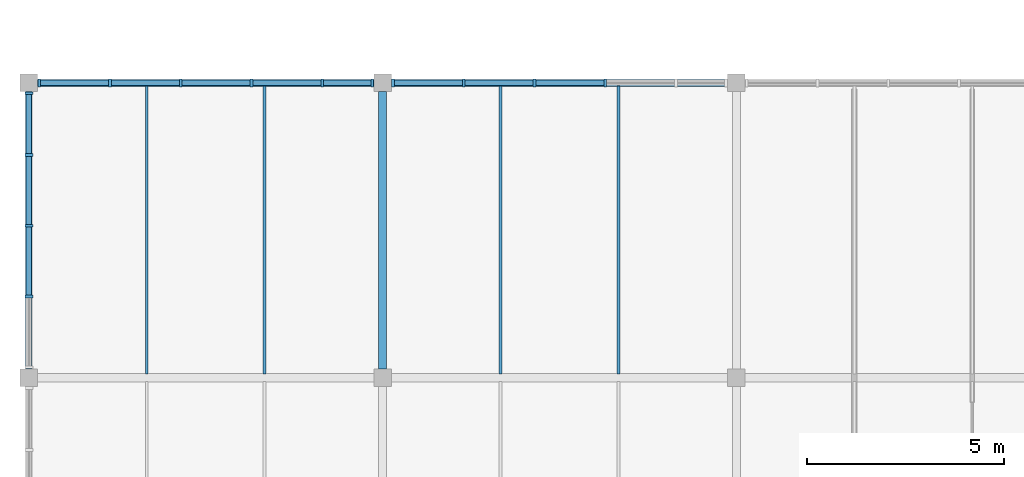
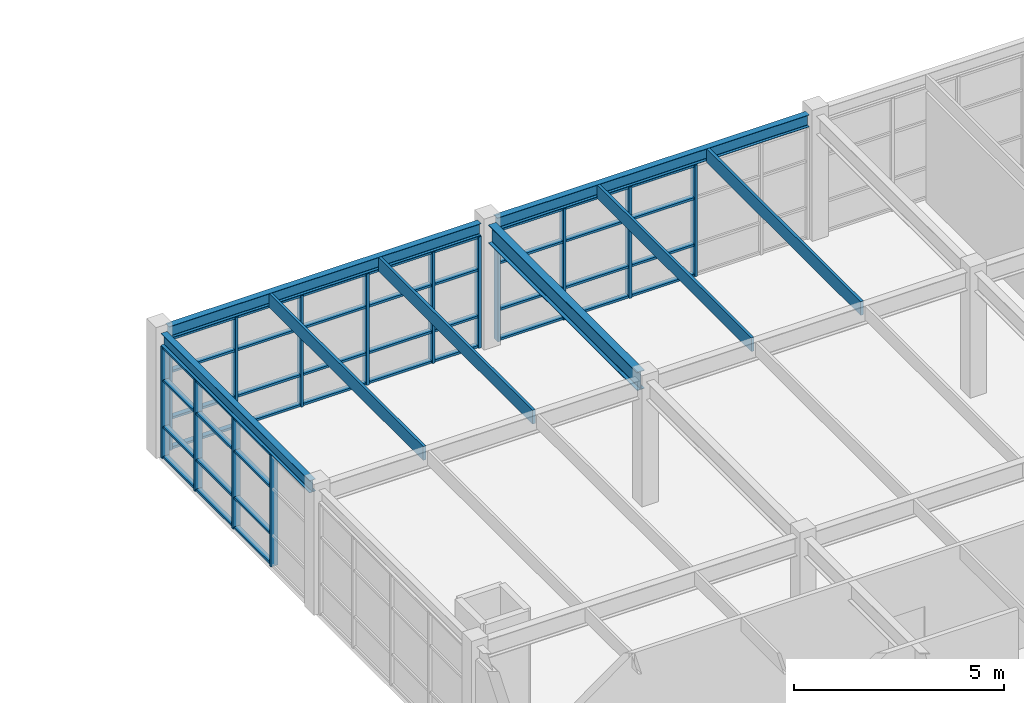
# One storey, part 11 of 81: 58 members, 8 beams, 3 elements without a shape of their own.
"""IFC4 building model written with IfcOpenShell, lengths in metres."""

import ifcopenshell
import ifcopenshell.guid

model = None  # the IFC model being written
_history = None  # IfcOwnerHistory: only IFC2X3 demands one
_inside = {}  # id of a spatial element -> (the spatial element, [elements in it])
_under = {}  # id of a project, library or spatial element -> (it, [spatial elements below it])
_declared = {}  # id of a project -> (the project, [libraries it declares])
_typed = {}  # id of a type object -> (the type object, [elements of that type])
_made_of = {}  # id of a material, layer set ... -> (it, [elements and type objects made of it])


def new_model(schema):
    """Start an empty IFC model of exactly this schema.

    Asked for "IFC4X3", IfcOpenShell would pick the latest addendum, in which some entities
    have other attributes; the version numbers below select the first issue.
    IFC2X3 requires an IfcOwnerHistory on every rooted entity: one is made here for all.
    """
    global model, _history
    if schema == "IFC4X3":
        model = ifcopenshell.file(schema_version=(4, 3, 0, 0))
    else:
        model = ifcopenshell.file(schema=schema)
    _inside.clear()
    _under.clear()
    _declared.clear()
    _typed.clear()
    _made_of.clear()
    _history = None
    if model.schema == "IFC2X3":
        org = make("IfcOrganization", Name="unknown")
        user = make(
            "IfcPersonAndOrganization",
            ThePerson=make("IfcPerson", FamilyName="unknown"),
            TheOrganization=org,
        )
        app = make(
            "IfcApplication",
            ApplicationDeveloper=org,
            Version="unknown",
            ApplicationFullName="unknown",
            ApplicationIdentifier="unknown",
        )
        _history = make(
            "IfcOwnerHistory",
            OwningUser=user,
            OwningApplication=app,
            ChangeAction="ADDED",
            CreationDate=0,
        )
    return model


def make(cls, **values):
    """One entity of the class cls with the attributes given. An attribute that is None is left unset."""
    return model.create_entity(
        cls, **{name: value for name, value in values.items() if value is not None}
    )


def rooted(cls, **values):
    """An entity with a GlobalId (a new one), such as an element, a storey or a relation."""
    return make(cls, GlobalId=ifcopenshell.guid.new(), OwnerHistory=_history, **values)


def si_unit(unit_type, name, prefix=None):
    """IfcSIUnit, for example si_unit("LENGTHUNIT", "METRE", prefix="MILLI")."""
    return make("IfcSIUnit", UnitType=unit_type, Prefix=prefix, Name=name)


def assignment(units):
    """IfcUnitAssignment: the units of a project."""
    return None if units is None else make("IfcUnitAssignment", Units=units)


def point(xyz):
    """IfcCartesianPoint."""
    return None if xyz is None else make("IfcCartesianPoint", Coordinates=xyz)


def direction(xyz):
    """IfcDirection."""
    return None if xyz is None else make("IfcDirection", DirectionRatios=xyz)


def frame(location, z_axis=None, x_axis=None):
    """IfcAxis2Placement3D, a coordinate frame: its origin and axes. An axis left out is left unset."""
    return make(
        "IfcAxis2Placement3D",
        Location=point(location),
        Axis=direction(z_axis),
        RefDirection=direction(x_axis),
    )


def frame_2d(location, x_axis=None):
    """IfcAxis2Placement2D, a coordinate frame in the plane: its origin and x axis."""
    return make(
        "IfcAxis2Placement2D", Location=point(location), RefDirection=direction(x_axis)
    )


def origin():
    """The frame at (0, 0, 0) with its axes left unset."""
    return frame((0.0, 0.0, 0.0))


def origin_2d():
    """The frame at (0, 0) in the plane with its x axis left unset."""
    return frame_2d((0.0, 0.0))


def place(relative_to, where):
    """IfcLocalPlacement: puts the frame where relative to a parent placement (None: the world)."""
    return make(
        "IfcLocalPlacement", PlacementRelTo=relative_to, RelativePlacement=where
    )


def context(
    kind, dimensions, precision=None, world=None, true_north=None, identifier=None
):
    """IfcGeometricRepresentationContext, for example the 3D "Model" context."""
    return make(
        "IfcGeometricRepresentationContext",
        ContextIdentifier=identifier,
        ContextType=kind,
        CoordinateSpaceDimension=dimensions,
        Precision=precision,
        WorldCoordinateSystem=world,
        TrueNorth=true_north,
    )


def subcontext(parent, identifier, kind, view, scale=None):
    """IfcGeometricRepresentationSubContext, for example "Body" below "Model"."""
    return make(
        "IfcGeometricRepresentationSubContext",
        ContextIdentifier=identifier,
        ContextType=kind,
        ParentContext=parent,
        TargetScale=scale,
        TargetView=view,
    )


def project(units=None, contexts=None):
    """IfcProject with its units and contexts."""
    return rooted(
        "IfcProject",
        Name="project",
        RepresentationContexts=contexts,
        UnitsInContext=assignment(units),
    )


def spatial(cls, under=None, at=None, **own):
    """A site, building, storey or space (cls), placed at a placement, below another one or the project."""
    s = rooted(cls, ObjectPlacement=at, **own)
    if under is not None:
        _under.setdefault(under.id(), (under, []))[1].append(s)
    return s


def profile(cls, at=None, kind="AREA", **sizes):
    """A parametric profile (cls). Its sizes go by their IFC names, for example OverallWidth=200.0."""
    return make(cls, ProfileType=kind, Position=at, **sizes)


def rectangle(**sizes):
    """IfcRectangleProfileDef."""
    return profile("IfcRectangleProfileDef", **sizes)


def i_section(**sizes):
    """IfcIShapeProfileDef."""
    return profile("IfcIShapeProfileDef", **sizes)


def extrude(swept, where, along, depth):
    """IfcExtrudedAreaSolid: the profile swept, set in the frame where, extruded along a direction by depth."""
    return make(
        "IfcExtrudedAreaSolid",
        SweptArea=swept,
        Position=where,
        ExtrudedDirection=direction(along),
        Depth=depth,
    )


def shape(context_of_items, identifier, shape_type, items):
    """IfcShapeRepresentation: the items that make up one representation, for example the "Body"."""
    return make(
        "IfcShapeRepresentation",
        ContextOfItems=context_of_items,
        RepresentationIdentifier=identifier,
        RepresentationType=shape_type,
        Items=items,
    )


def material(Name=None, Category=None):
    """IfcMaterial."""
    return make("IfcMaterial", Name=Name, Category=Category)


def layer(
    of_material, thickness, ventilated=None, Name=None, Category=None, Priority=None
):
    """IfcMaterialLayer: one layer of a wall or slab, of a material (None: an air gap)."""
    return make(
        "IfcMaterialLayer",
        Material=of_material,
        LayerThickness=thickness,
        IsVentilated=ventilated,
        Name=Name,
        Category=Category,
        Priority=Priority,
    )


def layer_set(layers, Name=None):
    """IfcMaterialLayerSet."""
    return make("IfcMaterialLayerSet", MaterialLayers=layers, LayerSetName=Name)


def material_profile(
    of_material, cross_section, Name=None, Category=None, Priority=None
):
    """IfcMaterialProfile: a cross section and its material."""
    return make(
        "IfcMaterialProfile",
        Name=Name,
        Material=of_material,
        Profile=cross_section,
        Priority=Priority,
        Category=Category,
    )


def profile_set(profiles, Name=None, composite=None):
    """IfcMaterialProfileSet."""
    return make(
        "IfcMaterialProfileSet",
        Name=Name,
        MaterialProfiles=profiles,
        CompositeProfile=composite,
    )


def made_of(thing, what):
    """Note that an element or type object is made of a material, layer set ...; save() writes the relation."""
    if what is not None:
        _made_of.setdefault(what.id(), (what, []))[1].append(thing)
    return thing


def type_object(cls, material=None, **own):
    """A type object (cls), such as IfcWallType, which elements share."""
    return made_of(rooted(cls, **own), material)


def element(
    cls,
    number,
    at=None,
    inside=None,
    cuts=None,
    type_object=None,
    material=None,
    context=None,
    identifier="Body",
    shape_type=None,
    held_by="IfcProductDefinitionShape",
    body=None,
    shapes=None,
    **own,
):
    """One element of the class cls, such as IfcWall. Its Tag is "e" and its number.

    at: its placement. inside: the storey or other place that contains it. cuts: it is an
    opening in that element (IfcRelVoidsElement). A single representation is given by context,
    identifier, shape_type and body (its items); several are given by shapes. held_by: the class
    of the entity that holds the representations. save() writes the other relations.
    """
    e = rooted(cls, Tag="e%d" % number, ObjectPlacement=at, **own)
    if body is not None:
        shapes = [shape(context, identifier, shape_type, body)]
    if shapes is not None:
        e.Representation = make(held_by, Representations=shapes)
    if inside is not None:
        _inside.setdefault(inside.id(), (inside, []))[1].append(e)
    if cuts is not None:
        rooted(
            "IfcRelVoidsElement", RelatingBuildingElement=cuts, RelatedOpeningElement=e
        )
    if type_object is not None:
        _typed.setdefault(type_object.id(), (type_object, []))[1].append(e)
    return made_of(e, material)


def aggregate(whole, parts):
    """IfcRelAggregates: a whole, such as a stair, and the parts it consists of."""
    return rooted("IfcRelAggregates", RelatingObject=whole, RelatedObjects=parts)


def save(model, path):
    """Write the relations noted so far, then the file.

    IfcRelAggregates (storeys below a building ...), IfcRelContainedInSpatialStructure (elements
    in a storey), IfcRelDefinesByType, IfcRelAssociatesMaterial and IfcRelDeclares: one each for
    every whole, place, type object, material and project.
    """
    for whole, parts in _under.values():
        aggregate(whole, parts)
    for where, things in _inside.values():
        rooted(
            "IfcRelContainedInSpatialStructure",
            RelatedElements=things,
            RelatingStructure=where,
        )
    for kind, things in _typed.values():
        rooted("IfcRelDefinesByType", RelatedObjects=things, RelatingType=kind)
    for what, things in _made_of.values():
        rooted("IfcRelAssociatesMaterial", RelatedObjects=things, RelatingMaterial=what)
    for by, libraries in _declared.values():
        rooted("IfcRelDeclares", RelatingContext=by, RelatedDefinitions=libraries)
    model.write(path)


model = new_model("IFC4")

# Units and contexts
model_context = context("Model", 3, precision=1e-05, world=origin(), true_north=direction((0.0, 1.0)))
body_context = subcontext(model_context, "Body", "Model", "MODEL_VIEW")
ifc_project = project(units=[si_unit("LENGTHUNIT", "METRE"), si_unit("AREAUNIT", "SQUARE_METRE"), si_unit("VOLUMEUNIT", "CUBIC_METRE"), si_unit("PLANEANGLEUNIT", "RADIAN"), si_unit("MASSUNIT", "GRAM", prefix="KILO")], contexts=[model_context])

# Site, building, storey
site_placement = place(None, origin())
site = spatial("IfcSite", under=ifc_project, at=site_placement, CompositionType="ELEMENT")
building_placement = place(site_placement, origin())
building = spatial("IfcBuilding", under=site, at=building_placement, Name="Marnridge Secondary College", CompositionType="ELEMENT")
storey_placement = place(building_placement, frame((0.0, 0.0, 8.5)))
storey = spatial("IfcBuildingStorey", under=building, at=storey_placement, Name="L02", CompositionType="ELEMENT", Elevation=8.5)

# Beams
ifc_material_1 = material(Name="Engineered timber LVL E13.2", Category="wood")
ifc_material_profile_1 = material_profile(ifc_material_1, rectangle(XDim=0.074951171875, YDim=0.39990234375, at=origin_2d()), Name="LVL 75x400")
ifc_profile_set_1 = profile_set([ifc_material_profile_1], Name="Engineered timber LVL E13.2")
beam_type_1 = type_object("IfcBeamType", Name="BM-LVL400-INT", PredefinedType="JOIST", material=ifc_profile_set_1)
for number, where, z_axis, x_axis, name in (
    (1, (3.0, 30.0986328125, 3.389892578125), (0.0, 1.0, 0.0), (-1.0, 0.0, 0.0), "Beam BJ-L02-1034"),
    (2, (6.0, 30.0986328125, 3.389892578125), (0.0, 1.0, 0.0), (-1.0, 0.0, 0.0), "Beam BJ-L02-1035"),
    (3, (12.0, 30.0986328125, 3.389892578125), (0.0, 1.0, 0.0), (-1.0, 0.0, 0.0), "Beam BJ-L02-1036"),
    (4, (15.0, 30.0986328125, 3.389892578125), (0.0, 1.0, 0.0), (-1.0, 0.0, 0.0), "Beam BJ-L02-1037"),
):
    element("IfcBeam", number, at=place(storey_placement, frame(where, z_axis=z_axis, x_axis=x_axis)), inside=storey, type_object=beam_type_1, Name=name, PredefinedType="JOIST", context=body_context, shape_type="SweptSolid", body=[
        extrude(rectangle(XDim=0.074951171875, YDim=0.39990234375, at=origin_2d()), origin(), (0.0, 0.0, 1.0), 7.32177734375),
    ])
ifc_material_2 = material(Name="Structural steel Grade 350 (AS/NZS 3679.1/.2, fy = 340-360 MPa)", Category="steel")
ifc_material_profile_2 = material_profile(ifc_material_2, i_section(OverallWidth=0.1708984375, OverallDepth=0.35205078125, WebThickness=0.0068359375, FlangeThickness=0.009765625, FilletRadius=0.011474609375, at=origin_2d()), Name="360UB44.7")
ifc_profile_set_2 = profile_set([ifc_material_profile_2], Name="Structural steel Grade 350 (AS/NZS 3679.1/.2, fy = 340-360 MPa)")
beam_type_2 = type_object("IfcBeamType", Name="BM-UB360-EXT", PredefinedType="SPANDREL", material=ifc_profile_set_2)
beam_1_placement = place(storey_placement, frame((0.218994140625, 37.5, 3.4140625), z_axis=(1.0, 0.0, 0.0), x_axis=(0.0, 1.0, 0.0)))
element("IfcBeam", 5, at=beam_1_placement, inside=storey, type_object=beam_type_2, Name="Beam BS-L02-0990", PredefinedType="SPANDREL", context=body_context, shape_type="SweptSolid", body=[
    extrude(i_section(OverallWidth=0.1708984375, OverallDepth=0.35205078125, WebThickness=0.0068359375, FlangeThickness=0.009765625, FilletRadius=0.011474609375, at=origin_2d()), origin(), (0.0, 0.0, 1.0), 8.56201171875),
])
beam_2_placement = place(storey_placement, frame((0.0, 30.218994140625, 3.4140625), z_axis=(0.0, 1.0, 0.0), x_axis=(-1.0, 0.0, 0.0)))
element("IfcBeam", 6, at=beam_2_placement, inside=storey, type_object=beam_type_2, Name="Beam BS-L02-0991", PredefinedType="SPANDREL", context=body_context, shape_type="SweptSolid", body=[
    extrude(i_section(OverallWidth=0.1708984375, OverallDepth=0.35205078125, WebThickness=0.0068359375, FlangeThickness=0.009765625, FilletRadius=0.011474609375, at=origin_2d()), origin(), (0.0, 0.0, 1.0), 7.06201171875),
])
beam_3_placement = place(storey_placement, frame((9.218994140625, 37.5, 3.4140625), z_axis=(1.0, 0.0, 0.0), x_axis=(0.0, 1.0, 0.0)))
element("IfcBeam", 7, at=beam_3_placement, inside=storey, type_object=beam_type_2, Name="Beam BS-L02-0993", PredefinedType="SPANDREL", context=body_context, shape_type="SweptSolid", body=[
    extrude(i_section(OverallWidth=0.1708984375, OverallDepth=0.35205078125, WebThickness=0.0068359375, FlangeThickness=0.009765625, FilletRadius=0.011474609375, at=origin_2d()), origin(), (0.0, 0.0, 1.0), 8.56201171875),
])
ifc_material_3 = material(Name="Structural steel Grade 350 (AS/NZS 3679.1/.2, fy = 340-360 MPa)", Category="steel")
ifc_material_profile_3 = material_profile(ifc_material_3, i_section(OverallWidth=0.209228515625, OverallDepth=0.532958984375, WebThickness=0.01025390625, FlangeThickness=0.015625, FilletRadius=0.013916015625, at=origin_2d()), Name="530UB92.4")
ifc_profile_set_3 = profile_set([ifc_material_profile_3], Name="Structural steel Grade 350 (AS/NZS 3679.1/.2, fy = 340-360 MPa)")
beam_type_3 = type_object("IfcBeamType", Name="BM-UB530A-INT", PredefinedType="BEAM", material=ifc_profile_set_3)
beam_4_placement = place(storey_placement, frame((9.0, 30.218994140625, 3.323486328125), z_axis=(0.0, 1.0, 0.0), x_axis=(-1.0, 0.0, 0.0)))
element("IfcBeam", 8, at=beam_4_placement, inside=storey, type_object=beam_type_3, Name="Beam B-L02-0992", PredefinedType="BEAM", context=body_context, shape_type="SweptSolid", body=[
    extrude(i_section(OverallWidth=0.209228515625, OverallDepth=0.532958984375, WebThickness=0.01025390625, FlangeThickness=0.015625, FilletRadius=0.013916015625, at=origin_2d()), origin(), (0.0, 0.0, 1.0), 7.06201171875),
])

# Curtain wall, members
ifc_material_4 = material(Name="Bronze-anodised aluminium and solar-control glazing", Category="aluminium")
ifc_layer = layer(ifc_material_4, 0.199951171875)
ifc_layer_set = layer_set([ifc_layer], Name="CW-MOD-1800")
curtain_wall_type = type_object("IfcCurtainWallType", Name="CW-MOD-1800", PredefinedType="NOTDEFINED", material=ifc_layer_set)
curtain_wall_1_placement = place(storey_placement, origin())
curtain_wall_1 = element("IfcCurtainWall", 9, at=curtain_wall_1_placement, inside=storey, type_object=curtain_wall_type, Name="Unitised curtain wall CW-L02-100", PredefinedType="NOTDEFINED")
ifc_material_5 = material(Name="Bronze-anodised aluminium 6063-T6", Category="aluminium")
ifc_material_profile_4 = material_profile(ifc_material_5, rectangle(XDim=0.070068359375, YDim=0.199951171875, at=origin_2d()), Name="ALU 70x200")
ifc_profile_set_4 = profile_set([ifc_material_profile_4], Name="Bronze-anodised aluminium 6063-T6")
member_type_1 = type_object("IfcMemberType", Name="CWM-ALU200", PredefinedType="MULLION", material=ifc_profile_set_4)
member_1_placement = place(storey_placement, frame((0.263916015625, 37.5, 0.0), z_axis=(0.0, 0.0, 1.0), x_axis=(1.0, 0.0, 0.0)))
member_1 = element("IfcMember", 10, at=member_1_placement, type_object=member_type_1, Name="CW-L02-100 mullion 1", PredefinedType="MULLION", context=body_context, shape_type="SweptSolid", body=[
    extrude(rectangle(XDim=0.070068359375, YDim=0.199951171875, at=origin_2d()), origin(), (0.0, 0.0, 1.0), 3.22998046875),
])
member_2_placement = place(storey_placement, frame((2.06396484375, 37.5, 0.0), z_axis=(0.0, 0.0, 1.0), x_axis=(1.0, 0.0, 0.0)))
member_2 = element("IfcMember", 11, at=member_2_placement, type_object=member_type_1, Name="CW-L02-100 mullion 2", PredefinedType="MULLION", context=body_context, shape_type="SweptSolid", body=[
    extrude(rectangle(XDim=0.070068359375, YDim=0.199951171875, at=origin_2d()), origin(), (0.0, 0.0, 1.0), 3.22998046875),
])
member_3_placement = place(storey_placement, frame((3.864013671875, 37.5, 0.0), z_axis=(0.0, 0.0, 1.0), x_axis=(1.0, 0.0, 0.0)))
member_3 = element("IfcMember", 12, at=member_3_placement, type_object=member_type_1, Name="CW-L02-100 mullion 3", PredefinedType="MULLION", context=body_context, shape_type="SweptSolid", body=[
    extrude(rectangle(XDim=0.070068359375, YDim=0.199951171875, at=origin_2d()), origin(), (0.0, 0.0, 1.0), 3.22998046875),
])
member_4_placement = place(storey_placement, frame((5.6640625, 37.5, 0.0), z_axis=(0.0, 0.0, 1.0), x_axis=(1.0, 0.0, 0.0)))
member_4 = element("IfcMember", 13, at=member_4_placement, type_object=member_type_1, Name="CW-L02-100 mullion 4", PredefinedType="MULLION", context=body_context, shape_type="SweptSolid", body=[
    extrude(rectangle(XDim=0.070068359375, YDim=0.199951171875, at=origin_2d()), origin(), (0.0, 0.0, 1.0), 3.22998046875),
])
member_5_placement = place(storey_placement, frame((7.464111328125, 37.5, 0.0), z_axis=(0.0, 0.0, 1.0), x_axis=(1.0, 0.0, 0.0)))
member_5 = element("IfcMember", 14, at=member_5_placement, type_object=member_type_1, Name="CW-L02-100 mullion 5", PredefinedType="MULLION", context=body_context, shape_type="SweptSolid", body=[
    extrude(rectangle(XDim=0.070068359375, YDim=0.199951171875, at=origin_2d()), origin(), (0.0, 0.0, 1.0), 3.22998046875),
])
member_6_placement = place(storey_placement, frame((8.736083984375, 37.5, 0.0), z_axis=(0.0, 0.0, 1.0), x_axis=(1.0, 0.0, 0.0)))
member_6 = element("IfcMember", 15, at=member_6_placement, type_object=member_type_1, Name="CW-L02-100 mullion 6", PredefinedType="MULLION", context=body_context, shape_type="SweptSolid", body=[
    extrude(rectangle(XDim=0.070068359375, YDim=0.199951171875, at=origin_2d()), origin(), (0.0, 0.0, 1.0), 3.22998046875),
])

curtain_wall_2_placement = place(storey_placement, origin())
curtain_wall_2 = element("IfcCurtainWall", 16, at=curtain_wall_2_placement, inside=storey, type_object=curtain_wall_type, Name="Unitised curtain wall CW-L02-101", PredefinedType="NOTDEFINED")
member_7_placement = place(storey_placement, frame((9.263916015625, 37.5, 0.0), z_axis=(0.0, 0.0, 1.0), x_axis=(1.0, 0.0, 0.0)))
member_7 = element("IfcMember", 17, at=member_7_placement, type_object=member_type_1, Name="CW-L02-101 mullion 1", PredefinedType="MULLION", context=body_context, shape_type="SweptSolid", body=[
    extrude(rectangle(XDim=0.070068359375, YDim=0.199951171875, at=origin_2d()), origin(), (0.0, 0.0, 1.0), 3.22998046875),
])
member_8_placement = place(storey_placement, frame((11.06396484375, 37.5, 0.0), z_axis=(0.0, 0.0, 1.0), x_axis=(1.0, 0.0, 0.0)))
member_8 = element("IfcMember", 18, at=member_8_placement, type_object=member_type_1, Name="CW-L02-101 mullion 2", PredefinedType="MULLION", context=body_context, shape_type="SweptSolid", body=[
    extrude(rectangle(XDim=0.070068359375, YDim=0.199951171875, at=origin_2d()), origin(), (0.0, 0.0, 1.0), 3.22998046875),
])
member_9_placement = place(storey_placement, frame((12.864013671875, 37.5, 0.0), z_axis=(0.0, 0.0, 1.0), x_axis=(1.0, 0.0, 0.0)))
member_9 = element("IfcMember", 19, at=member_9_placement, type_object=member_type_1, Name="CW-L02-101 mullion 3", PredefinedType="MULLION", context=body_context, shape_type="SweptSolid", body=[
    extrude(rectangle(XDim=0.070068359375, YDim=0.199951171875, at=origin_2d()), origin(), (0.0, 0.0, 1.0), 3.22998046875),
])
member_10_placement = place(storey_placement, frame((14.6640625, 37.5, 0.0), z_axis=(0.0, 0.0, 1.0), x_axis=(1.0, 0.0, 0.0)))
member_10 = element("IfcMember", 20, at=member_10_placement, type_object=member_type_1, Name="CW-L02-101 mullion 4", PredefinedType="MULLION", context=body_context, shape_type="SweptSolid", body=[
    extrude(rectangle(XDim=0.070068359375, YDim=0.199951171875, at=origin_2d()), origin(), (0.0, 0.0, 1.0), 3.22998046875),
])

curtain_wall_3_placement = place(storey_placement, origin())
curtain_wall_3 = element("IfcCurtainWall", 21, at=curtain_wall_3_placement, inside=storey, type_object=curtain_wall_type, Name="Unitised curtain wall CW-L02-113", PredefinedType="NOTDEFINED")
member_11_placement = place(storey_placement, frame((0.0, 32.06396484375, 0.0), z_axis=(0.0, 0.0, 1.0), x_axis=(0.0, 1.0, 0.0)))
member_11 = element("IfcMember", 22, at=member_11_placement, type_object=member_type_1, Name="CW-L02-113 mullion 2", PredefinedType="MULLION", context=body_context, shape_type="SweptSolid", body=[
    extrude(rectangle(XDim=0.070068359375, YDim=0.199951171875, at=origin_2d()), origin(), (0.0, 0.0, 1.0), 3.22998046875),
])
member_12_placement = place(storey_placement, frame((0.0, 33.864013671875, 0.0), z_axis=(0.0, 0.0, 1.0), x_axis=(0.0, 1.0, 0.0)))
member_12 = element("IfcMember", 23, at=member_12_placement, type_object=member_type_1, Name="CW-L02-113 mullion 3", PredefinedType="MULLION", context=body_context, shape_type="SweptSolid", body=[
    extrude(rectangle(XDim=0.070068359375, YDim=0.199951171875, at=origin_2d()), origin(), (0.0, 0.0, 1.0), 3.22998046875),
])
member_13_placement = place(storey_placement, frame((0.0, 35.6640625, 0.0), z_axis=(0.0, 0.0, 1.0), x_axis=(0.0, 1.0, 0.0)))
member_13 = element("IfcMember", 24, at=member_13_placement, type_object=member_type_1, Name="CW-L02-113 mullion 4", PredefinedType="MULLION", context=body_context, shape_type="SweptSolid", body=[
    extrude(rectangle(XDim=0.070068359375, YDim=0.199951171875, at=origin_2d()), origin(), (0.0, 0.0, 1.0), 3.22998046875),
])
member_14_placement = place(storey_placement, frame((0.0, 37.236083984375, 0.0), z_axis=(0.0, 0.0, 1.0), x_axis=(0.0, 1.0, 0.0)))
member_14 = element("IfcMember", 25, at=member_14_placement, type_object=member_type_1, Name="CW-L02-113 mullion 5", PredefinedType="MULLION", context=body_context, shape_type="SweptSolid", body=[
    extrude(rectangle(XDim=0.070068359375, YDim=0.199951171875, at=origin_2d()), origin(), (0.0, 0.0, 1.0), 3.22998046875),
])

# Member
ifc_material_6 = material(Name="Anodised aluminium 6063-T6", Category="aluminium")
ifc_material_profile_5 = material_profile(ifc_material_6, rectangle(XDim=0.06494140625, YDim=0.139892578125, at=origin_2d()), Name="ALU 65x140")
ifc_profile_set_5 = profile_set([ifc_material_profile_5], Name="Anodised aluminium 6063-T6")
member_type_2 = type_object("IfcMemberType", Name="CWT-ALU140", PredefinedType="USERDEFINED", material=ifc_profile_set_5)
member_15_placement = place(storey_placement, frame((0.299072265625, 37.5, 0.032470703125), z_axis=(1.0, 0.0, 0.0), x_axis=(0.0, 0.0, 1.0)))
member_15 = element("IfcMember", 26, at=member_15_placement, type_object=member_type_2, Name="CW-L02-100 transom 1.1", ObjectType="TRANSOM", PredefinedType="USERDEFINED", context=body_context, shape_type="SweptSolid", body=[
    extrude(rectangle(XDim=0.06494140625, YDim=0.139892578125, at=origin_2d()), origin(), (0.0, 0.0, 1.0), 1.72998046875),
])

member_16_placement = place(storey_placement, frame((0.299072265625, 37.5, 0.89990234375), z_axis=(1.0, 0.0, 0.0), x_axis=(0.0, 0.0, 1.0)))
member_16 = element("IfcMember", 27, at=member_16_placement, type_object=member_type_2, Name="CW-L02-100 transom 1.2", ObjectType="TRANSOM", PredefinedType="USERDEFINED", context=body_context, shape_type="SweptSolid", body=[
    extrude(rectangle(XDim=0.06494140625, YDim=0.139892578125, at=origin_2d()), origin(), (0.0, 0.0, 1.0), 1.72998046875),
])

member_17_placement = place(storey_placement, frame((0.299072265625, 37.5, 2.25), z_axis=(1.0, 0.0, 0.0), x_axis=(0.0, 0.0, 1.0)))
member_17 = element("IfcMember", 28, at=member_17_placement, type_object=member_type_2, Name="CW-L02-100 transom 1.3", ObjectType="TRANSOM", PredefinedType="USERDEFINED", context=body_context, shape_type="SweptSolid", body=[
    extrude(rectangle(XDim=0.06494140625, YDim=0.139892578125, at=origin_2d()), origin(), (0.0, 0.0, 1.0), 1.72998046875),
])

member_18_placement = place(storey_placement, frame((0.299072265625, 37.5, 3.197509765625), z_axis=(1.0, 0.0, 0.0), x_axis=(0.0, 0.0, 1.0)))
member_18 = element("IfcMember", 29, at=member_18_placement, type_object=member_type_2, Name="CW-L02-100 transom 1.4", ObjectType="TRANSOM", PredefinedType="USERDEFINED", context=body_context, shape_type="SweptSolid", body=[
    extrude(rectangle(XDim=0.06494140625, YDim=0.139892578125, at=origin_2d()), origin(), (0.0, 0.0, 1.0), 1.72998046875),
])

member_19_placement = place(storey_placement, frame((2.09912109375, 37.5, 0.032470703125), z_axis=(1.0, 0.0, 0.0), x_axis=(0.0, 0.0, 1.0)))
member_19 = element("IfcMember", 30, at=member_19_placement, type_object=member_type_2, Name="CW-L02-100 transom 2.1", ObjectType="TRANSOM", PredefinedType="USERDEFINED", context=body_context, shape_type="SweptSolid", body=[
    extrude(rectangle(XDim=0.06494140625, YDim=0.139892578125, at=origin_2d()), origin(), (0.0, 0.0, 1.0), 1.72998046875),
])

member_20_placement = place(storey_placement, frame((2.09912109375, 37.5, 0.89990234375), z_axis=(1.0, 0.0, 0.0), x_axis=(0.0, 0.0, 1.0)))
member_20 = element("IfcMember", 31, at=member_20_placement, type_object=member_type_2, Name="CW-L02-100 transom 2.2", ObjectType="TRANSOM", PredefinedType="USERDEFINED", context=body_context, shape_type="SweptSolid", body=[
    extrude(rectangle(XDim=0.06494140625, YDim=0.139892578125, at=origin_2d()), origin(), (0.0, 0.0, 1.0), 1.72998046875),
])

member_21_placement = place(storey_placement, frame((2.09912109375, 37.5, 2.25), z_axis=(1.0, 0.0, 0.0), x_axis=(0.0, 0.0, 1.0)))
member_21 = element("IfcMember", 32, at=member_21_placement, type_object=member_type_2, Name="CW-L02-100 transom 2.3", ObjectType="TRANSOM", PredefinedType="USERDEFINED", context=body_context, shape_type="SweptSolid", body=[
    extrude(rectangle(XDim=0.06494140625, YDim=0.139892578125, at=origin_2d()), origin(), (0.0, 0.0, 1.0), 1.72998046875),
])

member_22_placement = place(storey_placement, frame((2.09912109375, 37.5, 3.197509765625), z_axis=(1.0, 0.0, 0.0), x_axis=(0.0, 0.0, 1.0)))
member_22 = element("IfcMember", 33, at=member_22_placement, type_object=member_type_2, Name="CW-L02-100 transom 2.4", ObjectType="TRANSOM", PredefinedType="USERDEFINED", context=body_context, shape_type="SweptSolid", body=[
    extrude(rectangle(XDim=0.06494140625, YDim=0.139892578125, at=origin_2d()), origin(), (0.0, 0.0, 1.0), 1.72998046875),
])

member_23_placement = place(storey_placement, frame((3.89892578125, 37.5, 0.032470703125), z_axis=(1.0, 0.0, 0.0), x_axis=(0.0, 0.0, 1.0)))
member_23 = element("IfcMember", 34, at=member_23_placement, type_object=member_type_2, Name="CW-L02-100 transom 3.1", ObjectType="TRANSOM", PredefinedType="USERDEFINED", context=body_context, shape_type="SweptSolid", body=[
    extrude(rectangle(XDim=0.06494140625, YDim=0.139892578125, at=origin_2d()), origin(), (0.0, 0.0, 1.0), 1.72998046875),
])

member_24_placement = place(storey_placement, frame((3.89892578125, 37.5, 0.89990234375), z_axis=(1.0, 0.0, 0.0), x_axis=(0.0, 0.0, 1.0)))
member_24 = element("IfcMember", 35, at=member_24_placement, type_object=member_type_2, Name="CW-L02-100 transom 3.2", ObjectType="TRANSOM", PredefinedType="USERDEFINED", context=body_context, shape_type="SweptSolid", body=[
    extrude(rectangle(XDim=0.06494140625, YDim=0.139892578125, at=origin_2d()), origin(), (0.0, 0.0, 1.0), 1.72998046875),
])

member_25_placement = place(storey_placement, frame((3.89892578125, 37.5, 2.25), z_axis=(1.0, 0.0, 0.0), x_axis=(0.0, 0.0, 1.0)))
member_25 = element("IfcMember", 36, at=member_25_placement, type_object=member_type_2, Name="CW-L02-100 transom 3.3", ObjectType="TRANSOM", PredefinedType="USERDEFINED", context=body_context, shape_type="SweptSolid", body=[
    extrude(rectangle(XDim=0.06494140625, YDim=0.139892578125, at=origin_2d()), origin(), (0.0, 0.0, 1.0), 1.72998046875),
])

member_26_placement = place(storey_placement, frame((3.89892578125, 37.5, 3.197509765625), z_axis=(1.0, 0.0, 0.0), x_axis=(0.0, 0.0, 1.0)))
member_26 = element("IfcMember", 37, at=member_26_placement, type_object=member_type_2, Name="CW-L02-100 transom 3.4", ObjectType="TRANSOM", PredefinedType="USERDEFINED", context=body_context, shape_type="SweptSolid", body=[
    extrude(rectangle(XDim=0.06494140625, YDim=0.139892578125, at=origin_2d()), origin(), (0.0, 0.0, 1.0), 1.72998046875),
])

member_27_placement = place(storey_placement, frame((5.698974609375, 37.5, 0.032470703125), z_axis=(1.0, 0.0, 0.0), x_axis=(0.0, 0.0, 1.0)))
member_27 = element("IfcMember", 38, at=member_27_placement, type_object=member_type_2, Name="CW-L02-100 transom 4.1", ObjectType="TRANSOM", PredefinedType="USERDEFINED", context=body_context, shape_type="SweptSolid", body=[
    extrude(rectangle(XDim=0.06494140625, YDim=0.139892578125, at=origin_2d()), origin(), (0.0, 0.0, 1.0), 1.72998046875),
])

member_28_placement = place(storey_placement, frame((5.698974609375, 37.5, 0.89990234375), z_axis=(1.0, 0.0, 0.0), x_axis=(0.0, 0.0, 1.0)))
member_28 = element("IfcMember", 39, at=member_28_placement, type_object=member_type_2, Name="CW-L02-100 transom 4.2", ObjectType="TRANSOM", PredefinedType="USERDEFINED", context=body_context, shape_type="SweptSolid", body=[
    extrude(rectangle(XDim=0.06494140625, YDim=0.139892578125, at=origin_2d()), origin(), (0.0, 0.0, 1.0), 1.72998046875),
])

member_29_placement = place(storey_placement, frame((5.698974609375, 37.5, 2.25), z_axis=(1.0, 0.0, 0.0), x_axis=(0.0, 0.0, 1.0)))
member_29 = element("IfcMember", 40, at=member_29_placement, type_object=member_type_2, Name="CW-L02-100 transom 4.3", ObjectType="TRANSOM", PredefinedType="USERDEFINED", context=body_context, shape_type="SweptSolid", body=[
    extrude(rectangle(XDim=0.06494140625, YDim=0.139892578125, at=origin_2d()), origin(), (0.0, 0.0, 1.0), 1.72998046875),
])

member_30_placement = place(storey_placement, frame((5.698974609375, 37.5, 3.197509765625), z_axis=(1.0, 0.0, 0.0), x_axis=(0.0, 0.0, 1.0)))
member_30 = element("IfcMember", 41, at=member_30_placement, type_object=member_type_2, Name="CW-L02-100 transom 4.4", ObjectType="TRANSOM", PredefinedType="USERDEFINED", context=body_context, shape_type="SweptSolid", body=[
    extrude(rectangle(XDim=0.06494140625, YDim=0.139892578125, at=origin_2d()), origin(), (0.0, 0.0, 1.0), 1.72998046875),
])

member_31_placement = place(storey_placement, frame((7.4990234375, 37.5, 0.032470703125), z_axis=(1.0, 0.0, 0.0), x_axis=(0.0, 0.0, 1.0)))
member_31 = element("IfcMember", 42, at=member_31_placement, type_object=member_type_2, Name="CW-L02-100 transom 5.1", ObjectType="TRANSOM", PredefinedType="USERDEFINED", context=body_context, shape_type="SweptSolid", body=[
    extrude(rectangle(XDim=0.06494140625, YDim=0.139892578125, at=origin_2d()), origin(), (0.0, 0.0, 1.0), 1.201904296875),
])

member_32_placement = place(storey_placement, frame((7.4990234375, 37.5, 0.89990234375), z_axis=(1.0, 0.0, 0.0), x_axis=(0.0, 0.0, 1.0)))
member_32 = element("IfcMember", 43, at=member_32_placement, type_object=member_type_2, Name="CW-L02-100 transom 5.2", ObjectType="TRANSOM", PredefinedType="USERDEFINED", context=body_context, shape_type="SweptSolid", body=[
    extrude(rectangle(XDim=0.06494140625, YDim=0.139892578125, at=origin_2d()), origin(), (0.0, 0.0, 1.0), 1.201904296875),
])

member_33_placement = place(storey_placement, frame((7.4990234375, 37.5, 2.25), z_axis=(1.0, 0.0, 0.0), x_axis=(0.0, 0.0, 1.0)))
member_33 = element("IfcMember", 44, at=member_33_placement, type_object=member_type_2, Name="CW-L02-100 transom 5.3", ObjectType="TRANSOM", PredefinedType="USERDEFINED", context=body_context, shape_type="SweptSolid", body=[
    extrude(rectangle(XDim=0.06494140625, YDim=0.139892578125, at=origin_2d()), origin(), (0.0, 0.0, 1.0), 1.201904296875),
])

member_34_placement = place(storey_placement, frame((7.4990234375, 37.5, 3.197509765625), z_axis=(1.0, 0.0, 0.0), x_axis=(0.0, 0.0, 1.0)))
member_34 = element("IfcMember", 45, at=member_34_placement, type_object=member_type_2, Name="CW-L02-100 transom 5.4", ObjectType="TRANSOM", PredefinedType="USERDEFINED", context=body_context, shape_type="SweptSolid", body=[
    extrude(rectangle(XDim=0.06494140625, YDim=0.139892578125, at=origin_2d()), origin(), (0.0, 0.0, 1.0), 1.201904296875),
])

aggregate(curtain_wall_1, [member_1, member_2, member_3, member_4, member_5, member_6, member_15, member_16, member_17, member_18, member_19, member_20, member_21, member_22, member_23, member_24, member_25, member_26, member_27, member_28, member_29, member_30, member_31, member_32, member_33, member_34])

member_35_placement = place(storey_placement, frame((9.299072265625, 37.5, 0.032470703125), z_axis=(1.0, 0.0, 0.0), x_axis=(0.0, 0.0, 1.0)))
member_35 = element("IfcMember", 46, at=member_35_placement, type_object=member_type_2, Name="CW-L02-101 transom 1.1", ObjectType="TRANSOM", PredefinedType="USERDEFINED", context=body_context, shape_type="SweptSolid", body=[
    extrude(rectangle(XDim=0.06494140625, YDim=0.139892578125, at=origin_2d()), origin(), (0.0, 0.0, 1.0), 1.72998046875),
])

member_36_placement = place(storey_placement, frame((9.299072265625, 37.5, 0.89990234375), z_axis=(1.0, 0.0, 0.0), x_axis=(0.0, 0.0, 1.0)))
member_36 = element("IfcMember", 47, at=member_36_placement, type_object=member_type_2, Name="CW-L02-101 transom 1.2", ObjectType="TRANSOM", PredefinedType="USERDEFINED", context=body_context, shape_type="SweptSolid", body=[
    extrude(rectangle(XDim=0.06494140625, YDim=0.139892578125, at=origin_2d()), origin(), (0.0, 0.0, 1.0), 1.72998046875),
])

member_37_placement = place(storey_placement, frame((9.299072265625, 37.5, 2.25), z_axis=(1.0, 0.0, 0.0), x_axis=(0.0, 0.0, 1.0)))
member_37 = element("IfcMember", 48, at=member_37_placement, type_object=member_type_2, Name="CW-L02-101 transom 1.3", ObjectType="TRANSOM", PredefinedType="USERDEFINED", context=body_context, shape_type="SweptSolid", body=[
    extrude(rectangle(XDim=0.06494140625, YDim=0.139892578125, at=origin_2d()), origin(), (0.0, 0.0, 1.0), 1.72998046875),
])

member_38_placement = place(storey_placement, frame((9.299072265625, 37.5, 3.197509765625), z_axis=(1.0, 0.0, 0.0), x_axis=(0.0, 0.0, 1.0)))
member_38 = element("IfcMember", 49, at=member_38_placement, type_object=member_type_2, Name="CW-L02-101 transom 1.4", ObjectType="TRANSOM", PredefinedType="USERDEFINED", context=body_context, shape_type="SweptSolid", body=[
    extrude(rectangle(XDim=0.06494140625, YDim=0.139892578125, at=origin_2d()), origin(), (0.0, 0.0, 1.0), 1.72998046875),
])

member_39_placement = place(storey_placement, frame((11.09912109375, 37.5, 0.032470703125), z_axis=(1.0, 0.0, 0.0), x_axis=(0.0, 0.0, 1.0)))
member_39 = element("IfcMember", 50, at=member_39_placement, type_object=member_type_2, Name="CW-L02-101 transom 2.1", ObjectType="TRANSOM", PredefinedType="USERDEFINED", context=body_context, shape_type="SweptSolid", body=[
    extrude(rectangle(XDim=0.06494140625, YDim=0.139892578125, at=origin_2d()), origin(), (0.0, 0.0, 1.0), 1.72998046875),
])

member_40_placement = place(storey_placement, frame((11.09912109375, 37.5, 0.89990234375), z_axis=(1.0, 0.0, 0.0), x_axis=(0.0, 0.0, 1.0)))
member_40 = element("IfcMember", 51, at=member_40_placement, type_object=member_type_2, Name="CW-L02-101 transom 2.2", ObjectType="TRANSOM", PredefinedType="USERDEFINED", context=body_context, shape_type="SweptSolid", body=[
    extrude(rectangle(XDim=0.06494140625, YDim=0.139892578125, at=origin_2d()), origin(), (0.0, 0.0, 1.0), 1.72998046875),
])

member_41_placement = place(storey_placement, frame((11.09912109375, 37.5, 2.25), z_axis=(1.0, 0.0, 0.0), x_axis=(0.0, 0.0, 1.0)))
member_41 = element("IfcMember", 52, at=member_41_placement, type_object=member_type_2, Name="CW-L02-101 transom 2.3", ObjectType="TRANSOM", PredefinedType="USERDEFINED", context=body_context, shape_type="SweptSolid", body=[
    extrude(rectangle(XDim=0.06494140625, YDim=0.139892578125, at=origin_2d()), origin(), (0.0, 0.0, 1.0), 1.72998046875),
])

member_42_placement = place(storey_placement, frame((11.09912109375, 37.5, 3.197509765625), z_axis=(1.0, 0.0, 0.0), x_axis=(0.0, 0.0, 1.0)))
member_42 = element("IfcMember", 53, at=member_42_placement, type_object=member_type_2, Name="CW-L02-101 transom 2.4", ObjectType="TRANSOM", PredefinedType="USERDEFINED", context=body_context, shape_type="SweptSolid", body=[
    extrude(rectangle(XDim=0.06494140625, YDim=0.139892578125, at=origin_2d()), origin(), (0.0, 0.0, 1.0), 1.72998046875),
])

member_43_placement = place(storey_placement, frame((12.89892578125, 37.5, 0.032470703125), z_axis=(1.0, 0.0, 0.0), x_axis=(0.0, 0.0, 1.0)))
member_43 = element("IfcMember", 54, at=member_43_placement, type_object=member_type_2, Name="CW-L02-101 transom 3.1", ObjectType="TRANSOM", PredefinedType="USERDEFINED", context=body_context, shape_type="SweptSolid", body=[
    extrude(rectangle(XDim=0.06494140625, YDim=0.139892578125, at=origin_2d()), origin(), (0.0, 0.0, 1.0), 1.72998046875),
])

member_44_placement = place(storey_placement, frame((12.89892578125, 37.5, 0.89990234375), z_axis=(1.0, 0.0, 0.0), x_axis=(0.0, 0.0, 1.0)))
member_44 = element("IfcMember", 55, at=member_44_placement, type_object=member_type_2, Name="CW-L02-101 transom 3.2", ObjectType="TRANSOM", PredefinedType="USERDEFINED", context=body_context, shape_type="SweptSolid", body=[
    extrude(rectangle(XDim=0.06494140625, YDim=0.139892578125, at=origin_2d()), origin(), (0.0, 0.0, 1.0), 1.72998046875),
])

member_45_placement = place(storey_placement, frame((12.89892578125, 37.5, 2.25), z_axis=(1.0, 0.0, 0.0), x_axis=(0.0, 0.0, 1.0)))
member_45 = element("IfcMember", 56, at=member_45_placement, type_object=member_type_2, Name="CW-L02-101 transom 3.3", ObjectType="TRANSOM", PredefinedType="USERDEFINED", context=body_context, shape_type="SweptSolid", body=[
    extrude(rectangle(XDim=0.06494140625, YDim=0.139892578125, at=origin_2d()), origin(), (0.0, 0.0, 1.0), 1.72998046875),
])

member_46_placement = place(storey_placement, frame((12.89892578125, 37.5, 3.197509765625), z_axis=(1.0, 0.0, 0.0), x_axis=(0.0, 0.0, 1.0)))
member_46 = element("IfcMember", 57, at=member_46_placement, type_object=member_type_2, Name="CW-L02-101 transom 3.4", ObjectType="TRANSOM", PredefinedType="USERDEFINED", context=body_context, shape_type="SweptSolid", body=[
    extrude(rectangle(XDim=0.06494140625, YDim=0.139892578125, at=origin_2d()), origin(), (0.0, 0.0, 1.0), 1.72998046875),
])

aggregate(curtain_wall_2, [member_7, member_8, member_9, member_10, member_35, member_36, member_37, member_38, member_39, member_40, member_41, member_42, member_43, member_44, member_45, member_46])

member_47_placement = place(storey_placement, frame((0.0, 32.09912109375, 0.032470703125), z_axis=(0.0, 1.0, 0.0), x_axis=(0.0, 0.0, 1.0)))
member_47 = element("IfcMember", 58, at=member_47_placement, type_object=member_type_2, Name="CW-L02-113 transom 2.1", ObjectType="TRANSOM", PredefinedType="USERDEFINED", context=body_context, shape_type="SweptSolid", body=[
    extrude(rectangle(XDim=0.06494140625, YDim=0.139892578125, at=origin_2d()), origin(), (0.0, 0.0, 1.0), 1.72998046875),
])

member_48_placement = place(storey_placement, frame((0.0, 32.09912109375, 0.89990234375), z_axis=(0.0, 1.0, 0.0), x_axis=(0.0, 0.0, 1.0)))
member_48 = element("IfcMember", 59, at=member_48_placement, type_object=member_type_2, Name="CW-L02-113 transom 2.2", ObjectType="TRANSOM", PredefinedType="USERDEFINED", context=body_context, shape_type="SweptSolid", body=[
    extrude(rectangle(XDim=0.06494140625, YDim=0.139892578125, at=origin_2d()), origin(), (0.0, 0.0, 1.0), 1.72998046875),
])

member_49_placement = place(storey_placement, frame((0.0, 32.09912109375, 2.25), z_axis=(0.0, 1.0, 0.0), x_axis=(0.0, 0.0, 1.0)))
member_49 = element("IfcMember", 60, at=member_49_placement, type_object=member_type_2, Name="CW-L02-113 transom 2.3", ObjectType="TRANSOM", PredefinedType="USERDEFINED", context=body_context, shape_type="SweptSolid", body=[
    extrude(rectangle(XDim=0.06494140625, YDim=0.139892578125, at=origin_2d()), origin(), (0.0, 0.0, 1.0), 1.72998046875),
])

member_50_placement = place(storey_placement, frame((0.0, 32.09912109375, 3.197509765625), z_axis=(0.0, 1.0, 0.0), x_axis=(0.0, 0.0, 1.0)))
member_50 = element("IfcMember", 61, at=member_50_placement, type_object=member_type_2, Name="CW-L02-113 transom 2.4", ObjectType="TRANSOM", PredefinedType="USERDEFINED", context=body_context, shape_type="SweptSolid", body=[
    extrude(rectangle(XDim=0.06494140625, YDim=0.139892578125, at=origin_2d()), origin(), (0.0, 0.0, 1.0), 1.72998046875),
])

member_51_placement = place(storey_placement, frame((0.0, 33.89892578125, 0.032470703125), z_axis=(0.0, 1.0, 0.0), x_axis=(0.0, 0.0, 1.0)))
member_51 = element("IfcMember", 62, at=member_51_placement, type_object=member_type_2, Name="CW-L02-113 transom 3.1", ObjectType="TRANSOM", PredefinedType="USERDEFINED", context=body_context, shape_type="SweptSolid", body=[
    extrude(rectangle(XDim=0.06494140625, YDim=0.139892578125, at=origin_2d()), origin(), (0.0, 0.0, 1.0), 1.72998046875),
])

member_52_placement = place(storey_placement, frame((0.0, 33.89892578125, 0.89990234375), z_axis=(0.0, 1.0, 0.0), x_axis=(0.0, 0.0, 1.0)))
member_52 = element("IfcMember", 63, at=member_52_placement, type_object=member_type_2, Name="CW-L02-113 transom 3.2", ObjectType="TRANSOM", PredefinedType="USERDEFINED", context=body_context, shape_type="SweptSolid", body=[
    extrude(rectangle(XDim=0.06494140625, YDim=0.139892578125, at=origin_2d()), origin(), (0.0, 0.0, 1.0), 1.72998046875),
])

member_53_placement = place(storey_placement, frame((0.0, 33.89892578125, 2.25), z_axis=(0.0, 1.0, 0.0), x_axis=(0.0, 0.0, 1.0)))
member_53 = element("IfcMember", 64, at=member_53_placement, type_object=member_type_2, Name="CW-L02-113 transom 3.3", ObjectType="TRANSOM", PredefinedType="USERDEFINED", context=body_context, shape_type="SweptSolid", body=[
    extrude(rectangle(XDim=0.06494140625, YDim=0.139892578125, at=origin_2d()), origin(), (0.0, 0.0, 1.0), 1.72998046875),
])

member_54_placement = place(storey_placement, frame((0.0, 33.89892578125, 3.197509765625), z_axis=(0.0, 1.0, 0.0), x_axis=(0.0, 0.0, 1.0)))
member_54 = element("IfcMember", 65, at=member_54_placement, type_object=member_type_2, Name="CW-L02-113 transom 3.4", ObjectType="TRANSOM", PredefinedType="USERDEFINED", context=body_context, shape_type="SweptSolid", body=[
    extrude(rectangle(XDim=0.06494140625, YDim=0.139892578125, at=origin_2d()), origin(), (0.0, 0.0, 1.0), 1.72998046875),
])

member_55_placement = place(storey_placement, frame((0.0, 35.698974609375, 0.032470703125), z_axis=(0.0, 1.0, 0.0), x_axis=(0.0, 0.0, 1.0)))
member_55 = element("IfcMember", 66, at=member_55_placement, type_object=member_type_2, Name="CW-L02-113 transom 4.1", ObjectType="TRANSOM", PredefinedType="USERDEFINED", context=body_context, shape_type="SweptSolid", body=[
    extrude(rectangle(XDim=0.06494140625, YDim=0.139892578125, at=origin_2d()), origin(), (0.0, 0.0, 1.0), 1.501953125),
])

member_56_placement = place(storey_placement, frame((0.0, 35.698974609375, 0.89990234375), z_axis=(0.0, 1.0, 0.0), x_axis=(0.0, 0.0, 1.0)))
member_56 = element("IfcMember", 67, at=member_56_placement, type_object=member_type_2, Name="CW-L02-113 transom 4.2", ObjectType="TRANSOM", PredefinedType="USERDEFINED", context=body_context, shape_type="SweptSolid", body=[
    extrude(rectangle(XDim=0.06494140625, YDim=0.139892578125, at=origin_2d()), origin(), (0.0, 0.0, 1.0), 1.501953125),
])

member_57_placement = place(storey_placement, frame((0.0, 35.698974609375, 2.25), z_axis=(0.0, 1.0, 0.0), x_axis=(0.0, 0.0, 1.0)))
member_57 = element("IfcMember", 68, at=member_57_placement, type_object=member_type_2, Name="CW-L02-113 transom 4.3", ObjectType="TRANSOM", PredefinedType="USERDEFINED", context=body_context, shape_type="SweptSolid", body=[
    extrude(rectangle(XDim=0.06494140625, YDim=0.139892578125, at=origin_2d()), origin(), (0.0, 0.0, 1.0), 1.501953125),
])

member_58_placement = place(storey_placement, frame((0.0, 35.698974609375, 3.197509765625), z_axis=(0.0, 1.0, 0.0), x_axis=(0.0, 0.0, 1.0)))
member_58 = element("IfcMember", 69, at=member_58_placement, type_object=member_type_2, Name="CW-L02-113 transom 4.4", ObjectType="TRANSOM", PredefinedType="USERDEFINED", context=body_context, shape_type="SweptSolid", body=[
    extrude(rectangle(XDim=0.06494140625, YDim=0.139892578125, at=origin_2d()), origin(), (0.0, 0.0, 1.0), 1.501953125),
])

aggregate(curtain_wall_3, [member_11, member_12, member_13, member_14, member_47, member_48, member_49, member_50, member_51, member_52, member_53, member_54, member_55, member_56, member_57, member_58])

save(model, "model.ifc")
